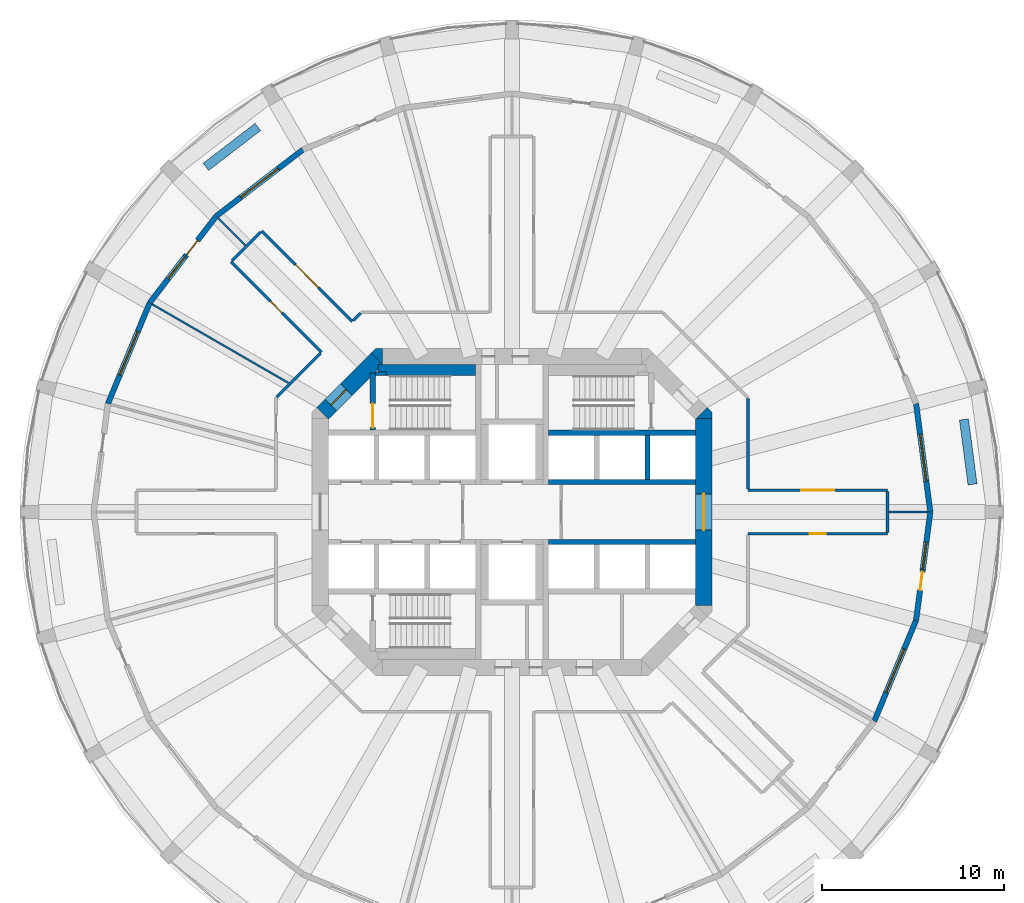
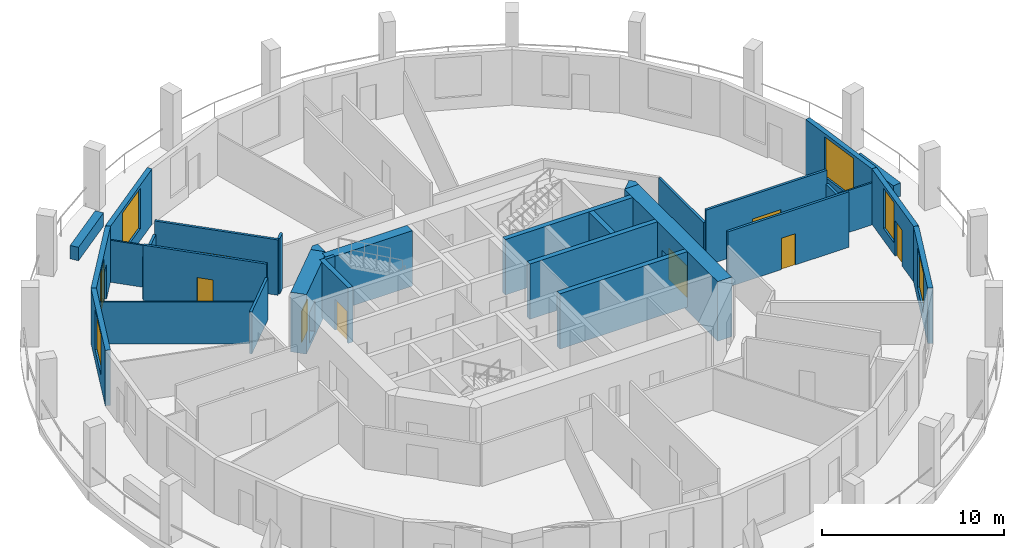
# One storey, part 5 of 9: 31 walls, 9 doors, 6 windows, 15 openings.
"""IFC4 building model written with IfcOpenShell, lengths in metres."""

from ifc_helpers import new_model, si_unit, direction, frame, frame_2d, origin, place, context, subcontext, project, spatial, polyline, rectangle, outline, extrude, material, layer, layer_set, type_object, element, fill, save


model = new_model("IFC4")

# Units and contexts
model_context = context("Model", 3, precision=1e-05, world=origin(), true_north=direction((0.0, 1.0)))
body_context = subcontext(model_context, "Body", "Model", "MODEL_VIEW")
ifc_project = project(units=[si_unit("LENGTHUNIT", "METRE"), si_unit("AREAUNIT", "SQUARE_METRE"), si_unit("VOLUMEUNIT", "CUBIC_METRE"), si_unit("PLANEANGLEUNIT", "RADIAN"), si_unit("MASSUNIT", "GRAM", prefix="KILO")], contexts=[model_context])

# Site, building, storey
site_placement = place(None, origin())
site = spatial("IfcSite", under=ifc_project, at=site_placement, CompositionType="ELEMENT")
building_placement = place(site_placement, origin())
building = spatial("IfcBuilding", under=site, at=building_placement, Name="Torre Triforio", CompositionType="ELEMENT")
storey_placement = place(building_placement, frame((0.0, 0.0, 31.0)))
storey = spatial("IfcBuildingStorey", under=building, at=storey_placement, Name="L05", CompositionType="ELEMENT", Elevation=31.0)

# Wall, opening, door
ifc_material_1 = material(Name="Concrete C60", Category="concrete")
ifc_layer_1 = layer(ifc_material_1, 0.89990234375)
ifc_layer_set_1 = layer_set([ifc_layer_1], Name="Concrete C60")
wall_type_1 = type_object("IfcWallType", Name="Core wall 900 mm C60 EI 120", PredefinedType="SHEAR", material=ifc_layer_set_1)
wall_1_placement = place(storey_placement, frame((10.550048828125, -5.1298828125, -0.280029296875), z_axis=(0.0, 0.0, 1.0), x_axis=(0.0, 1.0, 0.0)))
wall_1 = element("IfcWall", 1, at=wall_1_placement, inside=storey, type_object=wall_type_1, Name="Core wall", PredefinedType="SHEAR", context=body_context, shape_type="SweptSolid", body=[
    extrude(rectangle(XDim=10.259765625, YDim=0.89990234375, at=frame_2d((5.1298828125, 0.0))), origin(), (0.0, 0.0, 1.0), 4.0),
])
opening_1_placement = place(wall_1_placement, frame((4.1298828125, 0.0, 0.280029296875)))
opening_1 = element("IfcOpeningElement", 2, at=opening_1_placement, cuts=wall_1, Name="Opening E-RING", PredefinedType="OPENING", context=body_context, shape_type="SweptSolid", body=[
    extrude(rectangle(XDim=2.0, YDim=2.10009765625, at=frame_2d((1.0, 1.050048828125))), frame((0.0, 0.4599609375, 0.0), z_axis=(0.0, -1.0, 0.0), x_axis=(1.0, 0.0, 0.0)), (0.0, 0.0, 1.0), 0.919921875),
])
ifc_material_2 = material(Name="Hollow metal fire door leaf")
door_type_1 = type_object("IfcDoorType", Name="Lobby door 2000 x 2100 EI 60", OperationType="DOUBLE_DOOR_SINGLE_SWING", PredefinedType="DOOR", material=ifc_material_2)
door_1_placement = place(opening_1_placement, origin())
door_1 = element("IfcDoor", 3, at=door_1_placement, inside=storey, type_object=door_type_1, Name="Core door E-RING", OperationType="DOUBLE_DOOR_SINGLE_SWING", OverallHeight=2.10009765625, OverallWidth=2.0, PredefinedType="DOOR", context=body_context, shape_type="SweptSolid", body=[
    extrude(rectangle(XDim=2.0, YDim=2.10009765625, at=frame_2d((1.0, 1.050048828125))), frame((0.0, 0.02490234375, 0.0), z_axis=(0.0, -1.0, 0.0), x_axis=(1.0, 0.0, 0.0)), (0.0, 0.0, 1.0), 0.050048828125),
])
fill(opening_1, door_1)

wall_2_placement = place(storey_placement, frame((-10.418212890625, 5.418212890625, -0.280029296875), z_axis=(0.0, 0.0, 1.0), x_axis=(0.707106781187, 0.707106781187, 0.0)))
wall_2 = element("IfcWall", 4, at=wall_2_placement, inside=storey, type_object=wall_type_1, Name="Core wall", PredefinedType="SHEAR", context=body_context, shape_type="SweptSolid", body=[
    extrude(rectangle(XDim=4.24267578125, YDim=0.89990234375, at=frame_2d((2.121337890625, 0.0))), origin(), (0.0, 0.0, 1.0), 4.0),
])
opening_2_placement = place(wall_2_placement, frame((0.64990234375, 0.0, 0.280029296875)))
opening_2 = element("IfcOpeningElement", 5, at=opening_2_placement, cuts=wall_2, Name="Opening ST1-EXIT", PredefinedType="OPENING", context=body_context, shape_type="SweptSolid", body=[
    extrude(rectangle(XDim=1.199951171875, YDim=2.10009765625, at=frame_2d((0.60009765625, 1.050048828125))), frame((0.0, 0.4599609375, 0.0), z_axis=(0.0, -1.0, 0.0), x_axis=(1.0, 0.0, 0.0)), (0.0, 0.0, 1.0), 0.919921875),
])
door_type_2 = type_object("IfcDoorType", Name="Stair lobby door 1200 x 2100 EI 60", OperationType="NOTDEFINED", PredefinedType="DOOR", material=ifc_material_2)
door_2_placement = place(opening_2_placement, origin())
door_2 = element("IfcDoor", 6, at=door_2_placement, inside=storey, type_object=door_type_2, Name="Core door ST1-EXIT", OperationType="SINGLE_SWING_RIGHT", OverallHeight=2.10009765625, OverallWidth=1.199951171875, PredefinedType="DOOR", context=body_context, shape_type="SweptSolid", body=[
    extrude(rectangle(XDim=1.199951171875, YDim=2.10009765625, at=frame_2d((0.60009765625, 1.050048828125))), frame((0.0, 0.02490234375, 0.0), z_axis=(0.0, -1.0, 0.0), x_axis=(1.0, 0.0, 0.0)), (0.0, 0.0, 1.0), 0.050048828125),
])
fill(opening_2, door_2)

# Walls
wall_3_placement = place(storey_placement, frame((0.0, 0.0, -0.280029296875)))
element("IfcWall", 7, at=wall_3_placement, inside=storey, type_object=wall_type_1, Name="Core wall", PredefinedType="SHEAR", context=body_context, shape_type="SweptSolid", body=[
    extrude(outline(polyline([(11.0, 5.472900390625), (11.0, 5.1298828125), (10.1298828125, 5.1298828125), (10.736328125, 5.736328125), (11.0, 5.472900390625)])), origin(), (0.0, 0.0, 1.0), 4.0),
])
wall_4_placement = place(storey_placement, frame((0.0, 0.0, -0.280029296875)))
element("IfcWall", 8, at=wall_4_placement, inside=storey, type_object=wall_type_1, Name="Core wall", PredefinedType="SHEAR", context=body_context, shape_type="SweptSolid", body=[
    extrude(outline(polyline([(-7.472900390625, 9.0), (-7.1298828125, 9.0), (-7.1298828125, 8.1298828125), (-7.736328125, 8.736328125), (-7.472900390625, 9.0)])), origin(), (0.0, 0.0, 1.0), 4.0),
])
ifc_material_3 = material(Name="Plasterboard on metal studs")
ifc_layer_2 = layer(ifc_material_3, 0.14990234375)
ifc_layer_set_2 = layer_set([ifc_layer_2], Name="Plasterboard on metal studs")
wall_type_2 = type_object("IfcWallType", Name="Corridor and tenancy wall 150 mm EI 60", PredefinedType="PARTITIONING", material=ifc_layer_set_2)
wall_5_placement = place(storey_placement, frame((-12.93798828125, 6.327880859375, 0.0), z_axis=(0.0, 0.0, 1.0), x_axis=(0.707106781187, 0.707106781187, 0.0)))
element("IfcWall", 9, at=wall_5_placement, inside=storey, type_object=wall_type_2, Name="Partition 16", PredefinedType="PARTITIONING", context=body_context, shape_type="SweptSolid", body=[
    extrude(rectangle(XDim=3.399169921875, YDim=0.14990234375, at=frame_2d((1.69970703125, 0.0))), origin(), (0.0, 0.0, 1.0), 2.820068359375),
])

# Wall, opening, door
wall_6_placement = place(storey_placement, frame((-10.4814453125, 8.784423828125, 0.0), z_axis=(0.0, 0.0, 1.0), x_axis=(-0.707124155885, 0.707089406061, 0.0)))
wall_6 = element("IfcWall", 10, at=wall_6_placement, inside=storey, type_object=wall_type_2, Name="Partition 17", PredefinedType="PARTITIONING", context=body_context, shape_type="SweptSolid", body=[
    extrude(rectangle(XDim=7.025634765625, YDim=0.14990234375, at=frame_2d((3.5126953125, 0.0))), origin(), (0.0, 0.0, 1.0), 3.719970703125),
])
opening_3_placement = place(wall_6_placement, frame((3.062744140625, 0.0, 0.0)))
opening_3 = element("IfcOpeningElement", 11, at=opening_3_placement, cuts=wall_6, Name="Opening N1-05", PredefinedType="OPENING", context=body_context, shape_type="SweptSolid", body=[
    extrude(rectangle(XDim=0.89990234375, YDim=2.10009765625, at=frame_2d((0.449951171875, 1.050048828125))), frame((0.0, 0.0849609375, 0.0), z_axis=(0.0, -1.0, 0.0), x_axis=(1.0, 0.0, 0.0)), (0.0, 0.0, 1.0), 0.169921875),
])
ifc_material_4 = material(Name="Timber", Category="wood")
door_type_3 = type_object("IfcDoorType", Name="Door 900 x 2100 single leaf EI 30", OperationType="NOTDEFINED", PredefinedType="DOOR", material=ifc_material_4)
door_3_placement = place(opening_3_placement, origin())
door_3 = element("IfcDoor", 12, at=door_3_placement, inside=storey, type_object=door_type_3, Name="Door N1-05", OperationType="SINGLE_SWING_RIGHT", OverallHeight=2.10009765625, OverallWidth=0.89990234375, PredefinedType="DOOR", context=body_context, shape_type="SweptSolid", body=[
    extrude(rectangle(XDim=0.89990234375, YDim=2.10009765625, at=frame_2d((0.449951171875, 1.050048828125))), frame((0.0, 0.02490234375, 0.0), z_axis=(0.0, -1.0, 0.0), x_axis=(1.0, 0.0, 0.0)), (0.0, 0.0, 1.0), 0.050048828125),
])
fill(opening_3, door_3)

# Wall
wall_7_placement = place(storey_placement, frame((-15.396240234375, 13.805419921875, 0.0), z_axis=(0.0, 0.0, 1.0), x_axis=(0.707106781187, 0.707106781187, 0.0)))
element("IfcWall", 13, at=wall_7_placement, inside=storey, type_object=wall_type_2, Name="Partition 18", PredefinedType="PARTITIONING", context=body_context, shape_type="SweptSolid", body=[
    extrude(rectangle(XDim=2.249755859375, YDim=0.14990234375, at=frame_2d((1.125, 0.0))), origin(), (0.0, 0.0, 1.0), 2.820068359375),
])

# Wall, opening, door
wall_8_placement = place(storey_placement, frame((-13.752197265625, 15.449462890625, 0.0), z_axis=(0.0, 0.0, 1.0), x_axis=(0.707089406061, -0.707124155885, 0.0)))
wall_8 = element("IfcWall", 14, at=wall_8_placement, inside=storey, type_object=wall_type_2, Name="Partition 19", PredefinedType="PARTITIONING", context=body_context, shape_type="SweptSolid", body=[
    extrude(rectangle(XDim=7.025634765625, YDim=0.14990234375, at=frame_2d((3.5126953125, 0.0))), origin(), (0.0, 0.0, 1.0), 3.719970703125),
])
opening_4_placement = place(wall_8_placement, frame((2.61279296875, 0.0, 0.0)))
opening_4 = element("IfcOpeningElement", 15, at=opening_4_placement, cuts=wall_8, Name="Opening N1-04", PredefinedType="OPENING", context=body_context, shape_type="SweptSolid", body=[
    extrude(rectangle(XDim=1.800048828125, YDim=2.10009765625, at=frame_2d((0.89990234375, 1.050048828125))), frame((0.0, 0.0849609375, 0.0), z_axis=(0.0, -1.0, 0.0), x_axis=(1.0, 0.0, 0.0)), (0.0, 0.0, 1.0), 0.169921875),
])
door_type_4 = type_object("IfcDoorType", Name="Door 1800 x 2100 double leaf EI 30", OperationType="DOUBLE_DOOR_SINGLE_SWING", PredefinedType="DOOR", material=ifc_material_4)
door_4_placement = place(opening_4_placement, origin())
door_4 = element("IfcDoor", 16, at=door_4_placement, inside=storey, type_object=door_type_4, Name="Door N1-04", OperationType="DOUBLE_DOOR_SINGLE_SWING", OverallHeight=2.10009765625, OverallWidth=1.800048828125, PredefinedType="DOOR", context=body_context, shape_type="SweptSolid", body=[
    extrude(rectangle(XDim=1.800048828125, YDim=2.10009765625, at=frame_2d((0.89990234375, 1.050048828125))), frame((0.0, 0.02490234375, 0.0), z_axis=(0.0, -1.0, 0.0), x_axis=(1.0, 0.0, 0.0)), (0.0, 0.0, 1.0), 0.050048828125),
])
fill(opening_4, door_4)

# Walls
wall_9_placement = place(storey_placement, frame((-8.7314453125, 10.534423828125, 0.0), z_axis=(0.0, 0.0, 1.0), x_axis=(0.707106781187, 0.707106781187, 0.0)))
element("IfcWall", 17, at=wall_9_placement, inside=storey, type_object=wall_type_2, Name="Partition 20", PredefinedType="PARTITIONING", context=body_context, shape_type="SweptSolid", body=[
    extrude(rectangle(XDim=0.57080078125, YDim=0.14990234375, at=frame_2d((0.285400390625, 0.0))), origin(), (0.0, 0.0, 1.0), 3.719970703125),
])
wall_10_placement = place(storey_placement, frame((12.97509765625, 6.23828125, 0.0), z_axis=(0.0, 0.0, 1.0), x_axis=(0.0, -1.0, 0.0)))
element("IfcWall", 18, at=wall_10_placement, inside=storey, type_object=wall_type_2, Name="Partition 27", PredefinedType="PARTITIONING", context=body_context, shape_type="SweptSolid", body=[
    extrude(rectangle(XDim=4.96337890625, YDim=0.14990234375, at=frame_2d((2.481689453125, 0.0))), origin(), (0.0, 0.0, 1.0), 2.820068359375),
])

# Wall, opening, door
wall_11_placement = place(storey_placement, frame((12.97509765625, 1.199951171875, 0.0), z_axis=(0.0, 0.0, 1.0), x_axis=(1.0, 0.0, 0.0)))
wall_11 = element("IfcWall", 19, at=wall_11_placement, inside=storey, type_object=wall_type_2, Name="Partition 28", PredefinedType="PARTITIONING", context=body_context, shape_type="SweptSolid", body=[
    extrude(rectangle(XDim=7.673583984375, YDim=0.14990234375, at=frame_2d((3.8369140625, 0.0))), origin(), (0.0, 0.0, 1.0), 3.719970703125),
])
opening_5_placement = place(wall_11_placement, frame((2.93701171875, 0.0, 0.0)))
opening_5 = element("IfcOpeningElement", 20, at=opening_5_placement, cuts=wall_11, Name="Opening N1-01", PredefinedType="OPENING", context=body_context, shape_type="SweptSolid", body=[
    extrude(rectangle(XDim=1.800048828125, YDim=2.10009765625, at=frame_2d((0.89990234375, 1.050048828125))), frame((0.0, 0.0849609375, 0.0), z_axis=(0.0, -1.0, 0.0), x_axis=(1.0, 0.0, 0.0)), (0.0, 0.0, 1.0), 0.169921875),
])
door_5_placement = place(opening_5_placement, origin())
door_5 = element("IfcDoor", 21, at=door_5_placement, inside=storey, type_object=door_type_4, Name="Door N1-01", OperationType="DOUBLE_DOOR_SINGLE_SWING", OverallHeight=2.10009765625, OverallWidth=1.800048828125, PredefinedType="DOOR", context=body_context, shape_type="SweptSolid", body=[
    extrude(rectangle(XDim=1.800048828125, YDim=2.10009765625, at=frame_2d((0.89990234375, 1.050048828125))), frame((0.0, 0.02490234375, 0.0), z_axis=(0.0, -1.0, 0.0), x_axis=(1.0, 0.0, 0.0)), (0.0, 0.0, 1.0), 0.050048828125),
])
fill(opening_5, door_5)

# Wall
wall_12_placement = place(storey_placement, frame((20.648681640625, 1.125, 0.0), z_axis=(0.0, 0.0, 1.0), x_axis=(0.0, -1.0, 0.0)))
element("IfcWall", 22, at=wall_12_placement, inside=storey, type_object=wall_type_2, Name="Partition 29", PredefinedType="PARTITIONING", context=body_context, shape_type="SweptSolid", body=[
    extrude(rectangle(XDim=2.25, YDim=0.14990234375, at=frame_2d((1.125, 0.0))), origin(), (0.0, 0.0, 1.0), 2.820068359375),
])

# Wall, opening, door
wall_13_placement = place(storey_placement, frame((20.648681640625, -1.199951171875, 0.0), z_axis=(0.0, 0.0, 1.0), x_axis=(-1.0, 0.0, 0.0)))
wall_13 = element("IfcWall", 23, at=wall_13_placement, inside=storey, type_object=wall_type_2, Name="Partition 30", PredefinedType="PARTITIONING", context=body_context, shape_type="SweptSolid", body=[
    extrude(rectangle(XDim=7.673583984375, YDim=0.14990234375, at=frame_2d((3.8369140625, 0.0))), origin(), (0.0, 0.0, 1.0), 3.719970703125),
])
opening_6_placement = place(wall_13_placement, frame((3.386962890625, 0.0, 0.0)))
opening_6 = element("IfcOpeningElement", 24, at=opening_6_placement, cuts=wall_13, Name="Opening N1-14", PredefinedType="OPENING", context=body_context, shape_type="SweptSolid", body=[
    extrude(rectangle(XDim=0.89990234375, YDim=2.10009765625, at=frame_2d((0.449951171875, 1.050048828125))), frame((0.0, 0.0849609375, 0.0), z_axis=(0.0, -1.0, 0.0), x_axis=(1.0, 0.0, 0.0)), (0.0, 0.0, 1.0), 0.169921875),
])
door_6_placement = place(opening_6_placement, origin())
door_6 = element("IfcDoor", 25, at=door_6_placement, inside=storey, type_object=door_type_3, Name="Door N1-14", OperationType="SINGLE_SWING_RIGHT", OverallHeight=2.10009765625, OverallWidth=0.89990234375, PredefinedType="DOOR", context=body_context, shape_type="SweptSolid", body=[
    extrude(rectangle(XDim=0.89990234375, YDim=2.10009765625, at=frame_2d((0.449951171875, 1.050048828125))), frame((0.0, 0.02490234375, 0.0), z_axis=(0.0, -1.0, 0.0), x_axis=(1.0, 0.0, 0.0)), (0.0, 0.0, 1.0), 0.050048828125),
])
fill(opening_6, door_6)

# Walls
ifc_layer_3 = layer(ifc_material_3, 0.10009765625)
ifc_layer_set_3 = layer_set([ifc_layer_3], Name="Plasterboard on metal studs")
wall_type_3 = type_object("IfcWallType", Name="Partition 100 mm board on metal studs", PredefinedType="PARTITIONING", material=ifc_layer_set_3)
for number, where, z_axis, x_axis, name in (
    (26, (20.7236328125, 0.0, 0.0), (0.0, 0.0, 1.0), (1.0, 0.0, 0.0), "Partition 35"),
    (27, (-14.65380859375, 14.65380859375, 0.0), (0.0, 0.0, 1.0), (-0.707106781187, 0.707106781187, 0.0), "Partition 39"),
):
    element("IfcWall", number, at=place(storey_placement, frame(where, z_axis=z_axis, x_axis=x_axis)), inside=storey, type_object=wall_type_3, Name=name, PredefinedType="PARTITIONING", context=body_context, shape_type="SweptSolid", body=[
        extrude(rectangle(XDim=2.113037109375, YDim=0.10009765625, at=frame_2d((1.056640625, 0.0))), origin(), (0.0, 0.0, 1.0), 2.820068359375),
    ])
wall_14_placement = place(storey_placement, frame((-12.294189453125, 7.097900390625, 0.0), z_axis=(0.0, 0.0, 1.0), x_axis=(-0.866010547425, 0.500025731086, 0.0)))
element("IfcWall", 28, at=wall_14_placement, inside=storey, type_object=wall_type_3, Name="Partition 40", PredefinedType="PARTITIONING", context=body_context, shape_type="SweptSolid", body=[
    extrude(rectangle(XDim=8.640625, YDim=0.10009765625, at=frame_2d((4.3203125, 0.0))), origin(), (0.0, 0.0, 1.0), 2.820068359375),
])
ifc_material_5 = material(Name="Limestone cladding", Category="masonry")
ifc_layer_4 = layer(ifc_material_5, 0.10009765625)
ifc_material_6 = material(Name="Concrete C40", Category="concrete")
ifc_layer_5 = layer(ifc_material_6, 0.39990234375)
ifc_layer_set_4 = layer_set([ifc_layer_4, ifc_layer_5], Name="Limestone cladding / Concrete C40")
wall_type_4 = type_object("IfcWallType", Name="Planter wall 500", PredefinedType="PARAPET", material=ifc_layer_set_4)
wall_15_placement = place(storey_placement, frame((25.318603515625, 1.517578125, 0.0), z_axis=(0.0, 0.0, 1.0), x_axis=(-0.130542222659, 0.991442750795, 0.0)))
element("IfcWall", 29, at=wall_15_placement, inside=storey, type_object=wall_type_4, Name="Planter L05 bay 01", PredefinedType="PARAPET", context=body_context, shape_type="SweptSolid", body=[
    extrude(rectangle(XDim=3.60009765625, YDim=0.5, at=frame_2d((1.800048828125, 0.0))), origin(), (0.0, 0.0, 1.0), 0.89990234375),
])
wall_16_placement = place(storey_placement, frame((-13.9736328125, 21.16748046875, 0.0), z_axis=(0.0, 0.0, 1.0), x_axis=(-0.793359599829, -0.608753271334, 0.0)))
element("IfcWall", 30, at=wall_16_placement, inside=storey, type_object=wall_type_4, Name="Planter L05 bay 09", PredefinedType="PARAPET", context=body_context, shape_type="SweptSolid", body=[
    extrude(rectangle(XDim=3.599853515625, YDim=0.5, at=frame_2d((1.7998046875, 0.0))), origin(), (0.0, 0.0, 1.0), 0.89990234375),
])
ifc_layer_6 = layer(ifc_material_1, 0.300048828125)
ifc_layer_set_5 = layer_set([ifc_layer_6], Name="Concrete C60")
wall_type_5 = type_object("IfcWallType", Name="Shaft wall 300 mm C60 EI 120", PredefinedType="SOLIDWALL", material=ifc_layer_set_5)
for number, where, z_axis, x_axis, name in (
    (31, (2.0, 4.35009765625, 0.0), (0.0, 0.0, 1.0), (1.0, 0.0, 0.0), "Shaft wall"),
    (32, (2.0, 1.64990234375, 0.0), (0.0, 0.0, 1.0), (1.0, 0.0, 0.0), "Shaft wall"),
    (33, (2.0, -1.64990234375, 0.0), (0.0, 0.0, 1.0), (1.0, 0.0, 0.0), "Shaft wall"),
):
    element("IfcWall", number, at=place(storey_placement, frame(where, z_axis=z_axis, x_axis=x_axis)), inside=storey, type_object=wall_type_5, Name=name, PredefinedType="SOLIDWALL", context=body_context, shape_type="SweptSolid", body=[
        extrude(rectangle(XDim=8.10009765625, YDim=0.300048828125, at=frame_2d((4.050048828125, 0.0))), origin(), (0.0, 0.0, 1.0), 3.719970703125),
    ])
wall_17_placement = place(storey_placement, frame((7.449951171875, 1.800048828125, 0.0), z_axis=(0.0, 0.0, 1.0), x_axis=(0.0, 1.0, 0.0)))
element("IfcWall", 34, at=wall_17_placement, inside=storey, type_object=wall_type_5, Name="Shaft wall", PredefinedType="SOLIDWALL", context=body_context, shape_type="SweptSolid", body=[
    extrude(rectangle(XDim=2.39990234375, YDim=0.300048828125, at=frame_2d((1.199951171875, 0.0))), origin(), (0.0, 0.0, 1.0), 3.719970703125),
])
ifc_layer_7 = layer(ifc_material_1, 0.199951171875)
ifc_layer_set_6 = layer_set([ifc_layer_7], Name="Concrete C60")
wall_type_6 = type_object("IfcWallType", Name="Stair wall 200 mm C60 EI 120", PredefinedType="SHEAR", material=ifc_layer_set_6)
wall_18_placement = place(storey_placement, frame((-7.5, 7.60009765625, 0.0), z_axis=(0.0, 0.0, 1.0), x_axis=(1.0, 0.0, 0.0)))
element("IfcWall", 35, at=wall_18_placement, inside=storey, type_object=wall_type_6, Name="Stair wall", PredefinedType="SHEAR", context=body_context, shape_type="SweptSolid", body=[
    extrude(rectangle(XDim=0.60009765625, YDim=0.199951171875, at=frame_2d((0.300048828125, 0.0))), origin(), (0.0, 0.0, 1.0), 3.719970703125),
])

# Wall, opening, door
ifc_layer_8 = layer(ifc_material_1, 0.300048828125)
ifc_layer_set_7 = layer_set([ifc_layer_8], Name="Concrete C60")
wall_type_7 = type_object("IfcWallType", Name="Stair wall 300 mm C60 EI 120", PredefinedType="SHEAR", material=ifc_layer_set_7)
wall_19_placement = place(storey_placement, frame((-7.64990234375, 4.5, 0.0), z_axis=(0.0, 0.0, 1.0), x_axis=(0.0, 1.0, 0.0)))
wall_19 = element("IfcWall", 36, at=wall_19_placement, inside=storey, type_object=wall_type_7, Name="Stair wall", PredefinedType="SHEAR", context=body_context, shape_type="SweptSolid", body=[
    extrude(rectangle(XDim=3.139892578125, YDim=0.300048828125, at=frame_2d((1.56982421875, 0.0))), origin(), (0.0, 0.0, 1.0), 3.719970703125),
])
opening_7_placement = place(wall_19_placement, frame((0.139892578125, 0.0, 0.0)))
opening_7 = element("IfcOpeningElement", 37, at=opening_7_placement, cuts=wall_19, Name="Opening ST1-STA", PredefinedType="OPENING", context=body_context, shape_type="SweptSolid", body=[
    extrude(rectangle(XDim=1.320068359375, YDim=2.10009765625, at=frame_2d((0.66015625, 1.050048828125))), frame((0.0, 0.159912109375, 0.0), z_axis=(0.0, -1.0, 0.0), x_axis=(1.0, 0.0, 0.0)), (0.0, 0.0, 1.0), 0.320068359375),
])
door_type_5 = type_object("IfcDoorType", Name="Stair door 1320 x 2100 EI 90", OperationType="DOUBLE_DOOR_SINGLE_SWING", PredefinedType="DOOR", material=ifc_material_2)
door_7_placement = place(opening_7_placement, origin())
door_7 = element("IfcDoor", 38, at=door_7_placement, inside=storey, type_object=door_type_5, Name="Core door ST1-ST", OperationType="DOUBLE_DOOR_SINGLE_SWING", OverallHeight=2.10009765625, OverallWidth=1.320068359375, PredefinedType="DOOR", context=body_context, shape_type="SweptSolid", body=[
    extrude(rectangle(XDim=1.320068359375, YDim=2.10009765625, at=frame_2d((0.66015625, 1.050048828125))), frame((0.0, 0.02490234375, 0.0), z_axis=(0.0, -1.0, 0.0), x_axis=(1.0, 0.0, 0.0)), (0.0, 0.0, 1.0), 0.050048828125),
])
fill(opening_7, door_7)

# Wall
ifc_layer_9 = layer(ifc_material_1, 0.60009765625)
ifc_layer_set_8 = layer_set([ifc_layer_9], Name="Concrete C60")
wall_type_8 = type_object("IfcWallType", Name="Stair wall 600 mm C60 EI 120", PredefinedType="SHEAR", material=ifc_layer_set_8)
wall_20_placement = place(storey_placement, frame((-7.3701171875, 7.800048828125, 0.0), z_axis=(0.0, 0.0, 1.0), x_axis=(1.0, 0.0, 0.0)))
element("IfcWall", 39, at=wall_20_placement, inside=storey, type_object=wall_type_8, Name="Stair wall", PredefinedType="SHEAR", context=body_context, shape_type="SweptSolid", body=[
    extrude(rectangle(XDim=5.3701171875, YDim=0.60009765625, at=frame_2d((2.68505859375, 0.0))), origin(), (0.0, 0.0, 1.0), 3.719970703125),
])

# Wall, opening, window
ifc_layer_10 = layer(ifc_material_5, 0.10009765625)
ifc_layer_11 = layer(ifc_material_6, 0.199951171875)
ifc_layer_set_9 = layer_set([ifc_layer_10, ifc_layer_11], Name="Limestone cladding / Concrete C40")
wall_type_9 = type_object("IfcWallType", Name="Stone-faced composite wall 300", PredefinedType="STANDARD", material=ifc_layer_set_9)
wall_21_placement = place(storey_placement, frame((23.0, 0.0, 0.0), z_axis=(0.0, 0.0, 1.0), x_axis=(-0.130522880875, 0.991445297315, 0.0)))
wall_21 = element("IfcWall", 40, at=wall_21_placement, inside=storey, type_object=wall_type_9, Name="External wall L05 bay 01", PredefinedType="STANDARD", context=body_context, shape_type="SweptSolid", body=[
    extrude(rectangle(XDim=6.004150390625, YDim=0.300048828125, at=frame_2d((3.001953125, 0.0))), origin(), (0.0, 0.0, 1.0), 3.719970703125),
])
opening_8_placement = place(wall_21_placement, frame((1.7021484375, 0.0, 0.800048828125)))
opening_8 = element("IfcOpeningElement", 41, at=opening_8_placement, cuts=wall_21, Name="Opening N1-W01", PredefinedType="OPENING", context=body_context, shape_type="SweptSolid", body=[
    extrude(rectangle(XDim=2.60009765625, YDim=2.699951171875, at=frame_2d((1.300048828125, 1.35009765625))), frame((0.0, 0.159912109375, 0.0), z_axis=(0.0, -1.0, 0.0), x_axis=(1.0, 0.0, 0.0)), (0.0, 0.0, 1.0), 0.320068359375),
])
ifc_material_7 = material(Name="Aluminium frame with clear double glazing", Category="aluminium")
window_type_1 = type_object("IfcWindowType", Name="Punched window 2600 x 2700", PartitioningType="DOUBLE_PANEL_VERTICAL", PredefinedType="WINDOW", material=ifc_material_7)
window_1_placement = place(opening_8_placement, origin())
window_1 = element("IfcWindow", 42, at=window_1_placement, inside=storey, type_object=window_type_1, Name="Window EWN2 L05 bay 01", OverallHeight=2.699951171875, OverallWidth=2.60009765625, PartitioningType="SINGLE_PANEL", PredefinedType="WINDOW", context=body_context, shape_type="SweptSolid", body=[
    extrude(rectangle(XDim=2.60009765625, YDim=2.699951171875, at=frame_2d((1.300048828125, 1.35009765625))), frame((0.0, 0.030029296875, 0.0), z_axis=(0.0, -1.0, 0.0), x_axis=(1.0, 0.0, 0.0)), (0.0, 0.0, 1.0), 0.06005859375),
])
fill(opening_8, window_1)

wall_22_placement = place(storey_placement, frame((-11.5, 19.918701171875, 0.0), z_axis=(0.0, 0.0, 1.0), x_axis=(-0.793339924758, -0.608778912074, 0.0)))
wall_22 = element("IfcWall", 43, at=wall_22_placement, inside=storey, type_object=wall_type_9, Name="External wall L05 bay 09", PredefinedType="STANDARD", context=body_context, shape_type="SweptSolid", body=[
    extrude(rectangle(XDim=6.004150390625, YDim=0.300048828125, at=frame_2d((3.001953125, 0.0))), origin(), (0.0, 0.0, 1.0), 3.719970703125),
])
opening_9_placement = place(wall_22_placement, frame((1.7021484375, 0.0, 0.800048828125)))
opening_9 = element("IfcOpeningElement", 44, at=opening_9_placement, cuts=wall_22, Name="Opening N1-W09", PredefinedType="OPENING", context=body_context, shape_type="SweptSolid", body=[
    extrude(rectangle(XDim=2.60009765625, YDim=2.699951171875, at=frame_2d((1.300048828125, 1.35009765625))), frame((0.0, 0.159912109375, 0.0), z_axis=(0.0, -1.0, 0.0), x_axis=(1.0, 0.0, 0.0)), (0.0, 0.0, 1.0), 0.320068359375),
])
window_2_placement = place(opening_9_placement, origin())
window_2 = element("IfcWindow", 45, at=window_2_placement, inside=storey, type_object=window_type_1, Name="Window EWN2 L05 bay 09", OverallHeight=2.699951171875, OverallWidth=2.60009765625, PartitioningType="SINGLE_PANEL", PredefinedType="WINDOW", context=body_context, shape_type="SweptSolid", body=[
    extrude(rectangle(XDim=2.60009765625, YDim=2.699951171875, at=frame_2d((1.300048828125, 1.35009765625))), frame((0.0, 0.030029296875, 0.0), z_axis=(0.0, -1.0, 0.0), x_axis=(1.0, 0.0, 0.0)), (0.0, 0.0, 1.0), 0.06005859375),
])
fill(opening_9, window_2)

# Wall, openings, door, window
wall_23_placement = place(storey_placement, frame((-16.263427734375, 16.263427734375, 0.0), z_axis=(0.0, 0.0, 1.0), x_axis=(-0.608778912074, -0.793339924758, 0.0)))
wall_23 = element("IfcWall", 46, at=wall_23_placement, inside=storey, type_object=wall_type_9, Name="External wall L05 bay 10", PredefinedType="STANDARD", context=body_context, shape_type="SweptSolid", body=[
    extrude(rectangle(XDim=6.004150390625, YDim=0.300048828125, at=frame_2d((3.001953125, 0.0))), origin(), (0.0, 0.0, 1.0), 3.719970703125),
])
opening_10_placement = place(wall_23_placement, frame((1.677001953125, 0.0, 0.0)))
opening_10 = element("IfcOpeningElement", 47, at=opening_10_placement, cuts=wall_23, Name="Opening N1-D10", PredefinedType="OPENING", context=body_context, shape_type="SweptSolid", body=[
    extrude(rectangle(XDim=1.0, YDim=2.39990234375, at=frame_2d((0.5, 1.199951171875))), frame((0.0, 0.159912109375, 0.0), z_axis=(0.0, -1.0, 0.0), x_axis=(1.0, 0.0, 0.0)), (0.0, 0.0, 1.0), 0.320068359375),
])
opening_11_placement = place(wall_23_placement, frame((2.8271484375, 0.0, 0.800048828125)))
opening_11 = element("IfcOpeningElement", 48, at=opening_11_placement, cuts=wall_23, Name="Opening N1-W10A", PredefinedType="OPENING", context=body_context, shape_type="SweptSolid", body=[
    extrude(rectangle(XDim=1.5, YDim=2.699951171875, at=frame_2d((0.75, 1.35009765625))), frame((0.0, 0.159912109375, 0.0), z_axis=(0.0, -1.0, 0.0), x_axis=(1.0, 0.0, 0.0)), (0.0, 0.0, 1.0), 0.320068359375),
])
door_type_6 = type_object("IfcDoorType", Name="Loggia door 1000 x 2400", OperationType="NOTDEFINED", PredefinedType="DOOR", material=ifc_material_7)
door_8_placement = place(opening_10_placement, origin())
door_8 = element("IfcDoor", 49, at=door_8_placement, inside=storey, type_object=door_type_6, Name="Loggia door L05 bay 10", OperationType="SINGLE_SWING_LEFT", OverallHeight=2.39990234375, OverallWidth=1.0, PredefinedType="DOOR", context=body_context, shape_type="SweptSolid", body=[
    extrude(rectangle(XDim=1.0, YDim=2.39990234375, at=frame_2d((0.5, 1.199951171875))), frame((0.0, 0.02490234375, 0.0), z_axis=(0.0, -1.0, 0.0), x_axis=(1.0, 0.0, 0.0)), (0.0, 0.0, 1.0), 0.050048828125),
])
fill(opening_10, door_8)
window_type_2 = type_object("IfcWindowType", Name="Side window 1500 x 2700", PartitioningType="SINGLE_PANEL", PredefinedType="WINDOW", material=ifc_material_7)
window_3_placement = place(opening_11_placement, origin())
window_3 = element("IfcWindow", 50, at=window_3_placement, inside=storey, type_object=window_type_2, Name="Side window EWN12 L05 bay 10", OverallHeight=2.699951171875, OverallWidth=1.5, PartitioningType="SINGLE_PANEL", PredefinedType="WINDOW", context=body_context, shape_type="SweptSolid", body=[
    extrude(rectangle(XDim=1.5, YDim=2.699951171875, at=frame_2d((0.75, 1.35009765625))), frame((0.0, 0.030029296875, 0.0), z_axis=(0.0, -1.0, 0.0), x_axis=(1.0, 0.0, 0.0)), (0.0, 0.0, 1.0), 0.06005859375),
])
fill(opening_11, window_3)

# Wall, opening, window
wall_24_placement = place(storey_placement, frame((-19.918701171875, 11.5, 0.0), z_axis=(0.0, 0.0, 1.0), x_axis=(-0.382671411433, -0.923884511653, 0.0)))
wall_24 = element("IfcWall", 51, at=wall_24_placement, inside=storey, type_object=wall_type_9, Name="External wall L05 bay 11", PredefinedType="STANDARD", context=body_context, shape_type="SweptSolid", body=[
    extrude(rectangle(XDim=6.004150390625, YDim=0.300048828125, at=frame_2d((3.001953125, 0.0))), origin(), (0.0, 0.0, 1.0), 3.719970703125),
])
opening_12_placement = place(wall_24_placement, frame((1.7021484375, 0.0, 0.800048828125)))
opening_12 = element("IfcOpeningElement", 52, at=opening_12_placement, cuts=wall_24, Name="Opening N1-W11", PredefinedType="OPENING", context=body_context, shape_type="SweptSolid", body=[
    extrude(rectangle(XDim=2.60009765625, YDim=2.699951171875, at=frame_2d((1.300048828125, 1.35009765625))), frame((0.0, 0.159912109375, 0.0), z_axis=(0.0, -1.0, 0.0), x_axis=(1.0, 0.0, 0.0)), (0.0, 0.0, 1.0), 0.320068359375),
])
window_4_placement = place(opening_12_placement, origin())
window_4 = element("IfcWindow", 53, at=window_4_placement, inside=storey, type_object=window_type_1, Name="Window EWN2 L05 bay 11", OverallHeight=2.699951171875, OverallWidth=2.60009765625, PartitioningType="SINGLE_PANEL", PredefinedType="WINDOW", context=body_context, shape_type="SweptSolid", body=[
    extrude(rectangle(XDim=2.60009765625, YDim=2.699951171875, at=frame_2d((1.300048828125, 1.35009765625))), frame((0.0, 0.030029296875, 0.0), z_axis=(0.0, -1.0, 0.0), x_axis=(1.0, 0.0, 0.0)), (0.0, 0.0, 1.0), 0.06005859375),
])
fill(opening_12, window_4)

wall_25_placement = place(storey_placement, frame((19.918701171875, -11.5, 0.0), z_axis=(0.0, 0.0, 1.0), x_axis=(0.382671411433, 0.923884511653, 0.0)))
wall_25 = element("IfcWall", 54, at=wall_25_placement, inside=storey, type_object=wall_type_9, Name="External wall L05 bay 23", PredefinedType="STANDARD", context=body_context, shape_type="SweptSolid", body=[
    extrude(rectangle(XDim=6.004150390625, YDim=0.300048828125, at=frame_2d((3.001953125, 0.0))), origin(), (0.0, 0.0, 1.0), 3.719970703125),
])
opening_13_placement = place(wall_25_placement, frame((1.7021484375, 0.0, 0.800048828125)))
opening_13 = element("IfcOpeningElement", 55, at=opening_13_placement, cuts=wall_25, Name="Opening N1-W23", PredefinedType="OPENING", context=body_context, shape_type="SweptSolid", body=[
    extrude(rectangle(XDim=2.60009765625, YDim=2.699951171875, at=frame_2d((1.300048828125, 1.35009765625))), frame((0.0, 0.159912109375, 0.0), z_axis=(0.0, -1.0, 0.0), x_axis=(1.0, 0.0, 0.0)), (0.0, 0.0, 1.0), 0.320068359375),
])
window_5_placement = place(opening_13_placement, origin())
window_5 = element("IfcWindow", 56, at=window_5_placement, inside=storey, type_object=window_type_1, Name="Window EWN2 L05 bay 23", OverallHeight=2.699951171875, OverallWidth=2.60009765625, PartitioningType="SINGLE_PANEL", PredefinedType="WINDOW", context=body_context, shape_type="SweptSolid", body=[
    extrude(rectangle(XDim=2.60009765625, YDim=2.699951171875, at=frame_2d((1.300048828125, 1.35009765625))), frame((0.0, 0.030029296875, 0.0), z_axis=(0.0, -1.0, 0.0), x_axis=(1.0, 0.0, 0.0)), (0.0, 0.0, 1.0), 0.06005859375),
])
fill(opening_13, window_5)

# Wall, openings, door, window
wall_26_placement = place(storey_placement, frame((22.21630859375, -5.952880859375, 0.0), z_axis=(0.0, 0.0, 1.0), x_axis=(0.130522880875, 0.991445297315, 0.0)))
wall_26 = element("IfcWall", 57, at=wall_26_placement, inside=storey, type_object=wall_type_9, Name="External wall L05 bay 24", PredefinedType="STANDARD", context=body_context, shape_type="SweptSolid", body=[
    extrude(rectangle(XDim=6.004150390625, YDim=0.300048828125, at=frame_2d((3.001953125, 0.0))), origin(), (0.0, 0.0, 1.0), 3.719970703125),
])
opening_14_placement = place(wall_26_placement, frame((1.677001953125, 0.0, 0.0)))
opening_14 = element("IfcOpeningElement", 58, at=opening_14_placement, cuts=wall_26, Name="Opening N1-D24", PredefinedType="OPENING", context=body_context, shape_type="SweptSolid", body=[
    extrude(rectangle(XDim=1.0, YDim=2.39990234375, at=frame_2d((0.5, 1.199951171875))), frame((0.0, 0.159912109375, 0.0), z_axis=(0.0, -1.0, 0.0), x_axis=(1.0, 0.0, 0.0)), (0.0, 0.0, 1.0), 0.320068359375),
])
opening_15_placement = place(wall_26_placement, frame((2.8271484375, 0.0, 0.800048828125)))
opening_15 = element("IfcOpeningElement", 59, at=opening_15_placement, cuts=wall_26, Name="Opening N1-W24A", PredefinedType="OPENING", context=body_context, shape_type="SweptSolid", body=[
    extrude(rectangle(XDim=1.5, YDim=2.699951171875, at=frame_2d((0.75, 1.35009765625))), frame((0.0, 0.159912109375, 0.0), z_axis=(0.0, -1.0, 0.0), x_axis=(1.0, 0.0, 0.0)), (0.0, 0.0, 1.0), 0.320068359375),
])
door_9_placement = place(opening_14_placement, origin())
door_9 = element("IfcDoor", 60, at=door_9_placement, inside=storey, type_object=door_type_6, Name="Loggia door L05 bay 24", OperationType="SINGLE_SWING_RIGHT", OverallHeight=2.39990234375, OverallWidth=1.0, PredefinedType="DOOR", context=body_context, shape_type="SweptSolid", body=[
    extrude(rectangle(XDim=1.0, YDim=2.39990234375, at=frame_2d((0.5, 1.199951171875))), frame((0.0, 0.02490234375, 0.0), z_axis=(0.0, -1.0, 0.0), x_axis=(1.0, 0.0, 0.0)), (0.0, 0.0, 1.0), 0.050048828125),
])
fill(opening_14, door_9)
window_6_placement = place(opening_15_placement, origin())
window_6 = element("IfcWindow", 61, at=window_6_placement, inside=storey, type_object=window_type_2, Name="Side window EWN12 L05 bay 24", OverallHeight=2.699951171875, OverallWidth=1.5, PartitioningType="SINGLE_PANEL", PredefinedType="WINDOW", context=body_context, shape_type="SweptSolid", body=[
    extrude(rectangle(XDim=1.5, YDim=2.699951171875, at=frame_2d((0.75, 1.35009765625))), frame((0.0, 0.030029296875, 0.0), z_axis=(0.0, -1.0, 0.0), x_axis=(1.0, 0.0, 0.0)), (0.0, 0.0, 1.0), 0.06005859375),
])
fill(opening_15, window_6)

save(model, "model.ifc")
